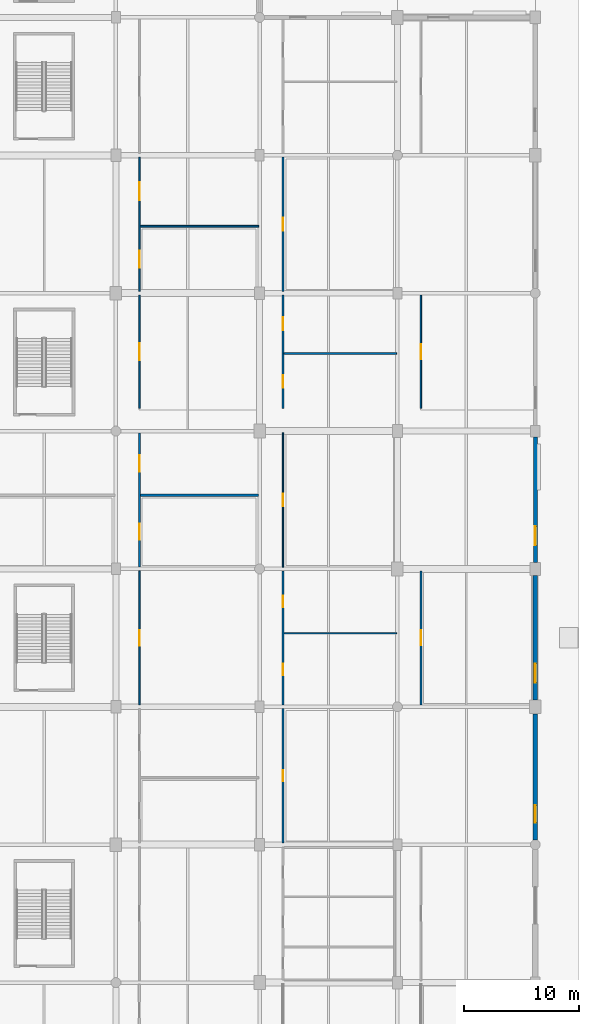
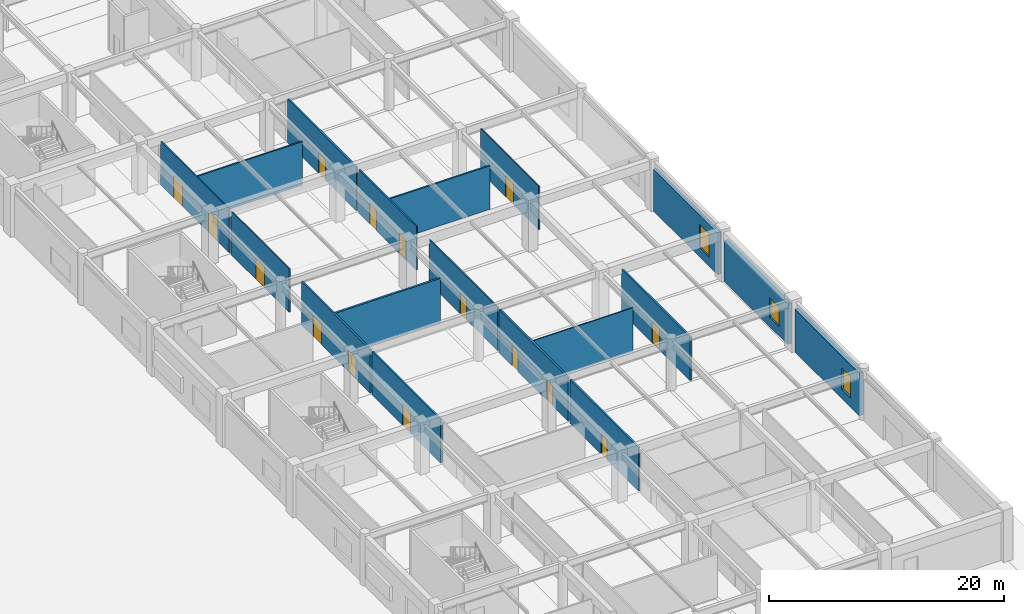
# One storey, part 26 of 69: 18 walls, 15 doors, 3 windows, 18 openings.
"""IFC4 building model written with IfcOpenShell, lengths in metres."""

import ifcopenshell
import ifcopenshell.guid

model = None  # the IFC model being written
_history = None  # IfcOwnerHistory: only IFC2X3 demands one
_inside = {}  # id of a spatial element -> (the spatial element, [elements in it])
_under = {}  # id of a project, library or spatial element -> (it, [spatial elements below it])
_declared = {}  # id of a project -> (the project, [libraries it declares])
_typed = {}  # id of a type object -> (the type object, [elements of that type])
_made_of = {}  # id of a material, layer set ... -> (it, [elements and type objects made of it])


def new_model(schema):
    """Start an empty IFC model of exactly this schema.

    Asked for "IFC4X3", IfcOpenShell would pick the latest addendum, in which some entities
    have other attributes; the version numbers below select the first issue.
    IFC2X3 requires an IfcOwnerHistory on every rooted entity: one is made here for all.
    """
    global model, _history
    if schema == "IFC4X3":
        model = ifcopenshell.file(schema_version=(4, 3, 0, 0))
    else:
        model = ifcopenshell.file(schema=schema)
    _inside.clear()
    _under.clear()
    _declared.clear()
    _typed.clear()
    _made_of.clear()
    _history = None
    if model.schema == "IFC2X3":
        org = make("IfcOrganization", Name="unknown")
        user = make(
            "IfcPersonAndOrganization",
            ThePerson=make("IfcPerson", FamilyName="unknown"),
            TheOrganization=org,
        )
        app = make(
            "IfcApplication",
            ApplicationDeveloper=org,
            Version="unknown",
            ApplicationFullName="unknown",
            ApplicationIdentifier="unknown",
        )
        _history = make(
            "IfcOwnerHistory",
            OwningUser=user,
            OwningApplication=app,
            ChangeAction="ADDED",
            CreationDate=0,
        )
    return model


def make(cls, **values):
    """One entity of the class cls with the attributes given. An attribute that is None is left unset."""
    return model.create_entity(
        cls, **{name: value for name, value in values.items() if value is not None}
    )


def rooted(cls, **values):
    """An entity with a GlobalId (a new one), such as an element, a storey or a relation."""
    return make(cls, GlobalId=ifcopenshell.guid.new(), OwnerHistory=_history, **values)


def si_unit(unit_type, name, prefix=None):
    """IfcSIUnit, for example si_unit("LENGTHUNIT", "METRE", prefix="MILLI")."""
    return make("IfcSIUnit", UnitType=unit_type, Prefix=prefix, Name=name)


def assignment(units):
    """IfcUnitAssignment: the units of a project."""
    return None if units is None else make("IfcUnitAssignment", Units=units)


def point(xyz):
    """IfcCartesianPoint."""
    return None if xyz is None else make("IfcCartesianPoint", Coordinates=xyz)


def direction(xyz):
    """IfcDirection."""
    return None if xyz is None else make("IfcDirection", DirectionRatios=xyz)


def frame(location, z_axis=None, x_axis=None):
    """IfcAxis2Placement3D, a coordinate frame: its origin and axes. An axis left out is left unset."""
    return make(
        "IfcAxis2Placement3D",
        Location=point(location),
        Axis=direction(z_axis),
        RefDirection=direction(x_axis),
    )


def frame_2d(location, x_axis=None):
    """IfcAxis2Placement2D, a coordinate frame in the plane: its origin and x axis."""
    return make(
        "IfcAxis2Placement2D", Location=point(location), RefDirection=direction(x_axis)
    )


def origin():
    """The frame at (0, 0, 0) with its axes left unset."""
    return frame((0.0, 0.0, 0.0))


def place(relative_to, where):
    """IfcLocalPlacement: puts the frame where relative to a parent placement (None: the world)."""
    return make(
        "IfcLocalPlacement", PlacementRelTo=relative_to, RelativePlacement=where
    )


def context(
    kind, dimensions, precision=None, world=None, true_north=None, identifier=None
):
    """IfcGeometricRepresentationContext, for example the 3D "Model" context."""
    return make(
        "IfcGeometricRepresentationContext",
        ContextIdentifier=identifier,
        ContextType=kind,
        CoordinateSpaceDimension=dimensions,
        Precision=precision,
        WorldCoordinateSystem=world,
        TrueNorth=true_north,
    )


def subcontext(parent, identifier, kind, view, scale=None):
    """IfcGeometricRepresentationSubContext, for example "Body" below "Model"."""
    return make(
        "IfcGeometricRepresentationSubContext",
        ContextIdentifier=identifier,
        ContextType=kind,
        ParentContext=parent,
        TargetScale=scale,
        TargetView=view,
    )


def project(units=None, contexts=None):
    """IfcProject with its units and contexts."""
    return rooted(
        "IfcProject",
        Name="project",
        RepresentationContexts=contexts,
        UnitsInContext=assignment(units),
    )


def spatial(cls, under=None, at=None, **own):
    """A site, building, storey or space (cls), placed at a placement, below another one or the project."""
    s = rooted(cls, ObjectPlacement=at, **own)
    if under is not None:
        _under.setdefault(under.id(), (under, []))[1].append(s)
    return s


def profile(cls, at=None, kind="AREA", **sizes):
    """A parametric profile (cls). Its sizes go by their IFC names, for example OverallWidth=200.0."""
    return make(cls, ProfileType=kind, Position=at, **sizes)


def rectangle(**sizes):
    """IfcRectangleProfileDef."""
    return profile("IfcRectangleProfileDef", **sizes)


def extrude(swept, where, along, depth):
    """IfcExtrudedAreaSolid: the profile swept, set in the frame where, extruded along a direction by depth."""
    return make(
        "IfcExtrudedAreaSolid",
        SweptArea=swept,
        Position=where,
        ExtrudedDirection=direction(along),
        Depth=depth,
    )


def shape(context_of_items, identifier, shape_type, items):
    """IfcShapeRepresentation: the items that make up one representation, for example the "Body"."""
    return make(
        "IfcShapeRepresentation",
        ContextOfItems=context_of_items,
        RepresentationIdentifier=identifier,
        RepresentationType=shape_type,
        Items=items,
    )


def material(Name=None, Category=None):
    """IfcMaterial."""
    return make("IfcMaterial", Name=Name, Category=Category)


def layer(
    of_material, thickness, ventilated=None, Name=None, Category=None, Priority=None
):
    """IfcMaterialLayer: one layer of a wall or slab, of a material (None: an air gap)."""
    return make(
        "IfcMaterialLayer",
        Material=of_material,
        LayerThickness=thickness,
        IsVentilated=ventilated,
        Name=Name,
        Category=Category,
        Priority=Priority,
    )


def layer_set(layers, Name=None):
    """IfcMaterialLayerSet."""
    return make("IfcMaterialLayerSet", MaterialLayers=layers, LayerSetName=Name)


def made_of(thing, what):
    """Note that an element or type object is made of a material, layer set ...; save() writes the relation."""
    if what is not None:
        _made_of.setdefault(what.id(), (what, []))[1].append(thing)
    return thing


def type_object(cls, material=None, **own):
    """A type object (cls), such as IfcWallType, which elements share."""
    return made_of(rooted(cls, **own), material)


def element(
    cls,
    number,
    at=None,
    inside=None,
    cuts=None,
    type_object=None,
    material=None,
    context=None,
    identifier="Body",
    shape_type=None,
    held_by="IfcProductDefinitionShape",
    body=None,
    shapes=None,
    **own,
):
    """One element of the class cls, such as IfcWall. Its Tag is "e" and its number.

    at: its placement. inside: the storey or other place that contains it. cuts: it is an
    opening in that element (IfcRelVoidsElement). A single representation is given by context,
    identifier, shape_type and body (its items); several are given by shapes. held_by: the class
    of the entity that holds the representations. save() writes the other relations.
    """
    e = rooted(cls, Tag="e%d" % number, ObjectPlacement=at, **own)
    if body is not None:
        shapes = [shape(context, identifier, shape_type, body)]
    if shapes is not None:
        e.Representation = make(held_by, Representations=shapes)
    if inside is not None:
        _inside.setdefault(inside.id(), (inside, []))[1].append(e)
    if cuts is not None:
        rooted(
            "IfcRelVoidsElement", RelatingBuildingElement=cuts, RelatedOpeningElement=e
        )
    if type_object is not None:
        _typed.setdefault(type_object.id(), (type_object, []))[1].append(e)
    return made_of(e, material)


def fill(opening, filler):
    """IfcRelFillsElement: the door or window that sits in an opening."""
    return rooted(
        "IfcRelFillsElement",
        RelatingOpeningElement=opening,
        RelatedBuildingElement=filler,
    )


def aggregate(whole, parts):
    """IfcRelAggregates: a whole, such as a stair, and the parts it consists of."""
    return rooted("IfcRelAggregates", RelatingObject=whole, RelatedObjects=parts)


def save(model, path):
    """Write the relations noted so far, then the file.

    IfcRelAggregates (storeys below a building ...), IfcRelContainedInSpatialStructure (elements
    in a storey), IfcRelDefinesByType, IfcRelAssociatesMaterial and IfcRelDeclares: one each for
    every whole, place, type object, material and project.
    """
    for whole, parts in _under.values():
        aggregate(whole, parts)
    for where, things in _inside.values():
        rooted(
            "IfcRelContainedInSpatialStructure",
            RelatedElements=things,
            RelatingStructure=where,
        )
    for kind, things in _typed.values():
        rooted("IfcRelDefinesByType", RelatedObjects=things, RelatingType=kind)
    for what, things in _made_of.values():
        rooted("IfcRelAssociatesMaterial", RelatedObjects=things, RelatingMaterial=what)
    for by, libraries in _declared.values():
        rooted("IfcRelDeclares", RelatingContext=by, RelatedDefinitions=libraries)
    model.write(path)


model = new_model("IFC4")

# Units and contexts
model_context = context("Model", 3, precision=1e-05, world=origin(), true_north=direction((0.0, 1.0)))
body_context = subcontext(model_context, "Body", "Model", "MODEL_VIEW")
ifc_project = project(units=[si_unit("LENGTHUNIT", "METRE"), si_unit("AREAUNIT", "SQUARE_METRE"), si_unit("VOLUMEUNIT", "CUBIC_METRE"), si_unit("PLANEANGLEUNIT", "RADIAN"), si_unit("MASSUNIT", "GRAM", prefix="KILO")], contexts=[model_context])

# Site, building, storey
site_placement = place(None, origin())
site = spatial("IfcSite", under=ifc_project, at=site_placement, CompositionType="ELEMENT")
building_placement = place(site_placement, origin())
building = spatial("IfcBuilding", under=site, at=building_placement, Name="Kazenohara Klinker Stadium", CompositionType="ELEMENT")
storey_placement = place(building_placement, origin())
storey = spatial("IfcBuildingStorey", under=building, at=storey_placement, Name="L00", CompositionType="ELEMENT", Elevation=0.0)

# Wall, opening, window
ifc_material_1 = material(Name="Clinker brick masonry", Category="masonry")
ifc_layer_1 = layer(ifc_material_1, 0.340087890625)
ifc_layer_set_1 = layer_set([ifc_layer_1], Name="Clinker brick masonry")
wall_type_1 = type_object("IfcWallType", Name="WAL-EXT-CB340", PredefinedType="SOLIDWALL", material=ifc_layer_set_1)
wall_1_placement = place(storey_placement, frame((224.0, 84.553955078125, 0.0), z_axis=(0.0, 0.0, 1.0), x_axis=(0.0, 1.0, 0.0)))
wall_1 = element("IfcWall", 1, at=wall_1_placement, inside=storey, type_object=wall_type_1, Name="Clinker brick cavity wall EW04 L00 Y18-7", PredefinedType="SOLIDWALL", context=body_context, shape_type="SweptSolid", body=[
    extrude(rectangle(XDim=10.942138671875, YDim=0.340087890625, at=frame_2d((5.47119140625, 0.0))), origin(), (0.0, 0.0, 1.0), 4.340087890625),
])
opening_1_placement = place(wall_1_placement, frame((1.5, 0.0, 0.949951171875)))
opening_1 = element("IfcOpeningElement", 2, at=opening_1_placement, cuts=wall_1, Name="Opening W12", PredefinedType="OPENING", context=body_context, shape_type="SweptSolid", body=[
    extrude(rectangle(XDim=1.64990234375, YDim=2.449951171875, at=frame_2d((0.824951171875, 1.22509765625))), frame((0.0, 0.18017578125, 0.0), z_axis=(0.0, -1.0, 0.0), x_axis=(1.0, 0.0, 0.0)), (0.0, 0.0, 1.0), 0.360107421875),
])
ifc_material_2 = material(Name="Dark bronze aluminium frame and triple glazing", Category="aluminium")
window_type_1 = type_object("IfcWindowType", Name="WIN-AS-12", PartitioningType="SINGLE_PANEL", PredefinedType="WINDOW", material=ifc_material_2)
window_1_placement = place(opening_1_placement, origin())
window_1 = element("IfcWindow", 3, at=window_1_placement, inside=storey, type_object=window_type_1, Name="Horizontal-mullion ladder window W12 L00 Y18-7", OverallHeight=2.449951171875, OverallWidth=1.64990234375, PartitioningType="SINGLE_PANEL", PredefinedType="WINDOW", context=body_context, shape_type="SweptSolid", body=[
    extrude(rectangle(XDim=1.64990234375, YDim=2.449951171875, at=frame_2d((0.824951171875, 1.22509765625))), frame((0.0, 0.030029296875, 0.0), z_axis=(0.0, -1.0, 0.0), x_axis=(1.0, 0.0, 0.0)), (0.0, 0.0, 1.0), 0.06005859375),
])
fill(opening_1, window_1)

ifc_layer_2 = layer(ifc_material_1, 0.3701171875)
ifc_layer_set_2 = layer_set([ifc_layer_2], Name="Clinker brick masonry")
wall_type_2 = type_object("IfcWallType", Name="WAL-EXT-CB370", PredefinedType="SOLIDWALL", material=ifc_layer_set_2)
wall_2_placement = place(storey_placement, frame((224.0, 72.60400390625, 0.0), z_axis=(0.0, 0.0, 1.0), x_axis=(0.0, 1.0, 0.0)))
wall_2 = element("IfcWall", 4, at=wall_2_placement, inside=storey, type_object=wall_type_2, Name="Clinker brick cavity wall EW03 L00 Y18-6", PredefinedType="SOLIDWALL", context=body_context, shape_type="SweptSolid", body=[
    extrude(rectangle(XDim=10.842041015625, YDim=0.3701171875, at=frame_2d((5.4208984375, 0.0))), origin(), (0.0, 0.0, 1.0), 4.239990234375),
])
opening_2_placement = place(wall_2_placement, frame((1.5, 0.0, 0.949951171875)))
opening_2 = element("IfcOpeningElement", 5, at=opening_2_placement, cuts=wall_2, Name="Opening W11", PredefinedType="OPENING", context=body_context, shape_type="SweptSolid", body=[
    extrude(rectangle(XDim=1.64990234375, YDim=2.050048828125, at=frame_2d((0.824951171875, 1.02490234375))), frame((0.0, 0.195068359375, 0.0), z_axis=(0.0, -1.0, 0.0), x_axis=(1.0, 0.0, 0.0)), (0.0, 0.0, 1.0), 0.39013671875),
])
window_type_2 = type_object("IfcWindowType", Name="WIN-AS-11", PartitioningType="SINGLE_PANEL", PredefinedType="WINDOW", material=ifc_material_2)
window_2_placement = place(opening_2_placement, origin())
window_2 = element("IfcWindow", 6, at=window_2_placement, inside=storey, type_object=window_type_2, Name="Horizontal-mullion ladder window W11 L00 Y18-6", OverallHeight=2.050048828125, OverallWidth=1.64990234375, PartitioningType="SINGLE_PANEL", PredefinedType="WINDOW", context=body_context, shape_type="SweptSolid", body=[
    extrude(rectangle(XDim=1.64990234375, YDim=2.050048828125, at=frame_2d((0.824951171875, 1.02490234375))), frame((0.0, 0.030029296875, 0.0), z_axis=(0.0, -1.0, 0.0), x_axis=(1.0, 0.0, 0.0)), (0.0, 0.0, 1.0), 0.06005859375),
])
fill(opening_2, window_2)

ifc_layer_3 = layer(ifc_material_1, 0.409912109375)
ifc_layer_set_3 = layer_set([ifc_layer_3], Name="Clinker brick masonry")
wall_type_3 = type_object("IfcWallType", Name="WAL-EXT-CB410", PredefinedType="SOLIDWALL", material=ifc_layer_set_3)
wall_3_placement = place(storey_placement, frame((224.0, 60.428955078125, 0.0), z_axis=(0.0, 0.0, 1.0), x_axis=(0.0, 1.0, 0.0)))
wall_3 = element("IfcWall", 7, at=wall_3_placement, inside=storey, type_object=wall_type_3, Name="Clinker brick cavity wall EW02 L00 Y18-5", PredefinedType="SOLIDWALL", context=body_context, shape_type="SweptSolid", body=[
    extrude(rectangle(XDim=10.967041015625, YDim=0.409912109375, at=frame_2d((5.4833984375, 0.0))), origin(), (0.0, 0.0, 1.0), 4.43994140625),
])
opening_3_placement = place(wall_3_placement, frame((1.5, 0.0, 0.949951171875)))
opening_3 = element("IfcOpeningElement", 8, at=opening_3_placement, cuts=wall_3, Name="Opening W10", PredefinedType="OPENING", context=body_context, shape_type="SweptSolid", body=[
    extrude(rectangle(XDim=1.5, YDim=2.25, at=frame_2d((0.75, 1.125))), frame((0.0, 0.21484375, 0.0), z_axis=(0.0, -1.0, 0.0), x_axis=(1.0, 0.0, 0.0)), (0.0, 0.0, 1.0), 0.429931640625),
])
window_type_3 = type_object("IfcWindowType", Name="WIN-AS-10", PartitioningType="SINGLE_PANEL", PredefinedType="WINDOW", material=ifc_material_2)
window_3_placement = place(opening_3_placement, origin())
window_3 = element("IfcWindow", 9, at=window_3_placement, inside=storey, type_object=window_type_3, Name="Horizontal-mullion ladder window W10 L00 Y18-5", OverallHeight=2.25, OverallWidth=1.5, PartitioningType="SINGLE_PANEL", PredefinedType="WINDOW", context=body_context, shape_type="SweptSolid", body=[
    extrude(rectangle(XDim=1.5, YDim=2.25, at=frame_2d((0.75, 1.125))), frame((0.0, 0.030029296875, 0.0), z_axis=(0.0, -1.0, 0.0), x_axis=(1.0, 0.0, 0.0)), (0.0, 0.0, 1.0), 0.06005859375),
])
fill(opening_3, window_3)

# Wall, opening, door
ifc_material_3 = material(Name="Fire-rated gypsum board on acoustic studs", Category="gypsum")
ifc_layer_4 = layer(ifc_material_3, 0.110107421875)
ifc_layer_set_4 = layer_set([ifc_layer_4], Name="Fire-rated gypsum board on acoustic studs")
wall_type_4 = type_object("IfcWallType", Name="WAL-INT-P110", PredefinedType="PARTITIONING", material=ifc_layer_set_4)
wall_4_placement = place(storey_placement, frame((189.5400390625, 97.969970703125, 0.0), z_axis=(0.0, 0.0, 1.0), x_axis=(0.0, 1.0, 0.0)))
wall_4 = element("IfcWall", 10, at=wall_4_placement, inside=storey, type_object=wall_type_4, Name="Interior partition wall PT01 SPC-L00-15-08-1-1", PredefinedType="PARTITIONING", context=body_context, shape_type="SweptSolid", body=[
    extrude(rectangle(XDim=9.8701171875, YDim=0.110107421875, at=frame_2d((4.93505859375, 0.0))), origin(), (0.0, 0.0, 1.0), 4.52001953125),
])
opening_4_placement = place(wall_4_placement, frame((5.675048828125, 0.0, 0.0), z_axis=(0.0, 0.0, 1.0), x_axis=(-1.0, 0.0, 0.0)))
opening_4 = element("IfcOpeningElement", 11, at=opening_4_placement, cuts=wall_4, Name="Opening ID20", PredefinedType="OPENING", context=body_context, shape_type="SweptSolid", body=[
    extrude(rectangle(XDim=1.47998046875, YDim=2.239990234375, at=frame_2d((0.739990234375, 1.1201171875))), frame((0.0, 0.06494140625, 0.0), z_axis=(0.0, -1.0, 0.0), x_axis=(1.0, 0.0, 0.0)), (0.0, 0.0, 1.0), 0.130126953125),
])
ifc_material_4 = material(Name="Painted steel plant fire door", Category="steel")
door_type_1 = type_object("IfcDoorType", Name="DR-INT-20", OperationType="NOTDEFINED", PredefinedType="DOOR", material=ifc_material_4)
door_1_placement = place(opening_4_placement, origin())
door_1 = element("IfcDoor", 12, at=door_1_placement, inside=storey, type_object=door_type_1, Name="Interior door ID20 Spectator First-Aid Medical Clinic L00-1508A", OperationType="SINGLE_SWING_LEFT", OverallHeight=2.239990234375, OverallWidth=1.47998046875, PredefinedType="DOOR", context=body_context, shape_type="SweptSolid", body=[
    extrude(rectangle(XDim=1.47998046875, YDim=2.239990234375, at=frame_2d((0.739990234375, 1.1201171875))), frame((0.0, 0.02490234375, 0.0), z_axis=(0.0, -1.0, 0.0), x_axis=(1.0, 0.0, 0.0)), (0.0, 0.0, 1.0), 0.050048828125),
])
fill(opening_4, door_1)

# Wall
wall_5_placement = place(storey_placement, frame((202.139892578125, 78.40869140625, 0.0), z_axis=(0.0, 0.0, 1.0), x_axis=(1.0, 0.0, 0.0)))
element("IfcWall", 13, at=wall_5_placement, inside=storey, type_object=wall_type_4, Name="Interior partition wall PT01 SPC-L00-16-06-1-2", PredefinedType="PARTITIONING", context=body_context, shape_type="SweptSolid", body=[
    extrude(rectangle(XDim=9.780029296875, YDim=0.110107421875, at=frame_2d((4.89013671875, 0.0))), origin(), (0.0, 0.0, 1.0), 4.52001953125),
])

# Wall, opening, door
wall_6_placement = place(storey_placement, frame((214.0400390625, 97.969970703125, 0.0), z_axis=(0.0, 0.0, 1.0), x_axis=(0.0, 1.0, 0.0)))
wall_6 = element("IfcWall", 14, at=wall_6_placement, inside=storey, type_object=wall_type_4, Name="Interior partition wall PT01 SPC-L00-17-08-1-1", PredefinedType="PARTITIONING", context=body_context, shape_type="SweptSolid", body=[
    extrude(rectangle(XDim=9.8701171875, YDim=0.110107421875, at=frame_2d((4.93505859375, 0.0))), origin(), (0.0, 0.0, 1.0), 4.52001953125),
])
opening_5_placement = place(wall_6_placement, frame((5.60009765625, 0.0, 0.0), z_axis=(0.0, 0.0, 1.0), x_axis=(-1.0, 0.0, 0.0)))
opening_5 = element("IfcOpeningElement", 15, at=opening_5_placement, cuts=wall_6, Name="Opening ID16", PredefinedType="OPENING", context=body_context, shape_type="SweptSolid", body=[
    extrude(rectangle(XDim=1.330078125, YDim=2.219970703125, at=frame_2d((0.6650390625, 1.10986328125))), frame((0.0, 0.06494140625, 0.0), z_axis=(0.0, -1.0, 0.0), x_axis=(1.0, 0.0, 0.0)), (0.0, 0.0, 1.0), 0.130126953125),
])
ifc_material_5 = material(Name="Solid-core Hokkaido oak fire door", Category="wood")
door_type_2 = type_object("IfcDoorType", Name="DR-INT-16", OperationType="NOTDEFINED", PredefinedType="DOOR", material=ifc_material_5)
door_2_placement = place(opening_5_placement, origin())
door_2 = element("IfcDoor", 16, at=door_2_placement, inside=storey, type_object=door_type_2, Name="Interior door ID16 Supporter Merchandising Retail Shop L00-1708A", OperationType="SINGLE_SWING_LEFT", OverallHeight=2.219970703125, OverallWidth=1.330078125, PredefinedType="DOOR", context=body_context, shape_type="SweptSolid", body=[
    extrude(rectangle(XDim=1.330078125, YDim=2.219970703125, at=frame_2d((0.6650390625, 1.10986328125))), frame((0.0, 0.02490234375, 0.0), z_axis=(0.0, -1.0, 0.0), x_axis=(1.0, 0.0, 0.0)), (0.0, 0.0, 1.0), 0.050048828125),
])
fill(opening_5, door_2)

# Wall, openings, doors
ifc_layer_5 = layer(ifc_material_3, 0.1201171875)
ifc_layer_set_5 = layer_set([ifc_layer_5], Name="Fire-rated gypsum board on acoustic studs")
wall_type_5 = type_object("IfcWallType", Name="WAL-INT-P120", PredefinedType="PARTITIONING", material=ifc_layer_set_5)
wall_7_placement = place(storey_placement, frame((189.5400390625, 108.159912109375, 0.0), z_axis=(0.0, 0.0, 1.0), x_axis=(0.0, 1.0, 0.0)))
wall_7 = element("IfcWall", 17, at=wall_7_placement, inside=storey, type_object=wall_type_5, Name="Interior partition wall PT02 SPC-L00-15-09-1-1", PredefinedType="PARTITIONING", context=body_context, shape_type="SweptSolid", body=[
    extrude(rectangle(XDim=11.68017578125, YDim=0.1201171875, at=frame_2d((5.840087890625, 0.0))), origin(), (0.0, 0.0, 1.0), 4.52001953125),
])
opening_6_placement = place(wall_7_placement, frame((3.552490234375, 0.0, 0.0), z_axis=(0.0, 0.0, 1.0), x_axis=(-1.0, 0.0, 0.0)))
opening_6 = element("IfcOpeningElement", 18, at=opening_6_placement, cuts=wall_7, Name="Opening ID21", PredefinedType="OPENING", context=body_context, shape_type="SweptSolid", body=[
    extrude(rectangle(XDim=1.52001953125, YDim=2.280029296875, at=frame_2d((0.760009765625, 1.14013671875))), frame((0.0, 0.070068359375, 0.0), z_axis=(0.0, -1.0, 0.0), x_axis=(1.0, 0.0, 0.0)), (0.0, 0.0, 1.0), 0.14013671875),
])
opening_7_placement = place(wall_7_placement, frame((9.492431640625, 0.0, 0.0), z_axis=(0.0, 0.0, 1.0), x_axis=(-1.0, 0.0, 0.0)))
opening_7 = element("IfcOpeningElement", 19, at=opening_7_placement, cuts=wall_7, Name="Opening ID22", PredefinedType="OPENING", context=body_context, shape_type="SweptSolid", body=[
    extrude(rectangle(XDim=1.56005859375, YDim=2.260009765625, at=frame_2d((0.780029296875, 1.1298828125))), frame((0.0, 0.070068359375, 0.0), z_axis=(0.0, -1.0, 0.0), x_axis=(1.0, 0.0, 0.0)), (0.0, 0.0, 1.0), 0.14013671875),
])
door_type_3 = type_object("IfcDoorType", Name="DR-INT-21", OperationType="NOTDEFINED", PredefinedType="DOOR", material=ifc_material_4)
door_3_placement = place(opening_6_placement, origin())
door_3 = element("IfcDoor", 20, at=door_3_placement, inside=storey, type_object=door_type_3, Name="Interior door ID21 Civic Stadium Heritage Museum Exhibition Gallery L00-1509A", OperationType="SINGLE_SWING_RIGHT", OverallHeight=2.280029296875, OverallWidth=1.52001953125, PredefinedType="DOOR", context=body_context, shape_type="SweptSolid", body=[
    extrude(rectangle(XDim=1.52001953125, YDim=2.280029296875, at=frame_2d((0.760009765625, 1.14013671875))), frame((0.0, 0.02490234375, 0.0), z_axis=(0.0, -1.0, 0.0), x_axis=(1.0, 0.0, 0.0)), (0.0, 0.0, 1.0), 0.050048828125),
])
fill(opening_6, door_3)
door_type_4 = type_object("IfcDoorType", Name="DR-INT-22", OperationType="NOTDEFINED", PredefinedType="DOOR", material=ifc_material_4)
door_4_placement = place(opening_7_placement, origin())
door_4 = element("IfcDoor", 21, at=door_4_placement, inside=storey, type_object=door_type_4, Name="Interior door ID22 Street-Front Bakery and Cafe Restaurant L00-1509B", OperationType="SINGLE_SWING_LEFT", OverallHeight=2.260009765625, OverallWidth=1.56005859375, PredefinedType="DOOR", context=body_context, shape_type="SweptSolid", body=[
    extrude(rectangle(XDim=1.56005859375, YDim=2.260009765625, at=frame_2d((0.780029296875, 1.1298828125))), frame((0.0, 0.02490234375, 0.0), z_axis=(0.0, -1.0, 0.0), x_axis=(1.0, 0.0, 0.0)), (0.0, 0.0, 1.0), 0.050048828125),
])
fill(opening_7, door_4)

# Wall, opening, door
wall_8_placement = place(storey_placement, frame((202.0400390625, 84.159912109375, 0.0), z_axis=(0.0, 0.0, 1.0), x_axis=(0.0, 1.0, 0.0)))
wall_8 = element("IfcWall", 22, at=wall_8_placement, inside=storey, type_object=wall_type_5, Name="Interior partition wall PT02 SPC-L00-16-07-1-1", PredefinedType="PARTITIONING", context=body_context, shape_type="SweptSolid", body=[
    extrude(rectangle(XDim=11.68017578125, YDim=0.1201171875, at=frame_2d((5.840087890625, 0.0))), origin(), (0.0, 0.0, 1.0), 4.52001953125),
])
opening_8_placement = place(wall_8_placement, frame((6.3701171875, 0.0, 0.0), z_axis=(0.0, 0.0, 1.0), x_axis=(-1.0, 0.0, 0.0)))
opening_8 = element("IfcOpeningElement", 23, at=opening_8_placement, cuts=wall_8, Name="Opening ID07", PredefinedType="OPENING", context=body_context, shape_type="SweptSolid", body=[
    extrude(rectangle(XDim=1.06005859375, YDim=2.14990234375, at=frame_2d((0.530029296875, 1.074951171875))), frame((0.0, 0.070068359375, 0.0), z_axis=(0.0, -1.0, 0.0), x_axis=(1.0, 0.0, 0.0)), (0.0, 0.0, 1.0), 0.14013671875),
])
door_type_5 = type_object("IfcDoorType", Name="DR-INT-07", OperationType="NOTDEFINED", PredefinedType="DOOR", material=ifc_material_5)
door_5_placement = place(opening_8_placement, origin())
door_5 = element("IfcDoor", 24, at=door_5_placement, inside=storey, type_object=door_type_5, Name="Interior door ID07 Supporter Merchandising Retail Shop L00-1607A", OperationType="SINGLE_SWING_RIGHT", OverallHeight=2.14990234375, OverallWidth=1.06005859375, PredefinedType="DOOR", context=body_context, shape_type="SweptSolid", body=[
    extrude(rectangle(XDim=1.06005859375, YDim=2.14990234375, at=frame_2d((0.530029296875, 1.074951171875))), frame((0.0, 0.02490234375, 0.0), z_axis=(0.0, -1.0, 0.0), x_axis=(1.0, 0.0, 0.0)), (0.0, 0.0, 1.0), 0.050048828125),
])
fill(opening_8, door_5)

# Wall
ifc_layer_6 = layer(ifc_material_3, 0.139892578125)
ifc_layer_set_6 = layer_set([ifc_layer_6], Name="Fire-rated gypsum board on acoustic studs")
wall_type_6 = type_object("IfcWallType", Name="WAL-INT-P140", PredefinedType="PARTITIONING", material=ifc_layer_set_6)
wall_9_placement = place(storey_placement, frame((189.60498046875, 113.82470703125, 0.0), z_axis=(0.0, 0.0, 1.0), x_axis=(1.0, 0.0, 0.0)))
element("IfcWall", 25, at=wall_9_placement, inside=storey, type_object=wall_type_6, Name="Interior partition wall PT03 SPC-L00-15-09-1-2", PredefinedType="PARTITIONING", context=body_context, shape_type="SweptSolid", body=[
    extrude(rectangle(XDim=10.31494140625, YDim=0.139892578125, at=frame_2d((5.157470703125, 0.0))), origin(), (0.0, 0.0, 1.0), 4.52001953125),
])

# Wall, openings, doors
wall_10_placement = place(storey_placement, frame((202.0400390625, 97.969970703125, 0.0), z_axis=(0.0, 0.0, 1.0), x_axis=(0.0, 1.0, 0.0)))
wall_10 = element("IfcWall", 26, at=wall_10_placement, inside=storey, type_object=wall_type_6, Name="Interior partition wall PT03 SPC-L00-16-08-1-1", PredefinedType="PARTITIONING", context=body_context, shape_type="SweptSolid", body=[
    extrude(rectangle(XDim=9.8701171875, YDim=0.139892578125, at=frame_2d((4.93505859375, 0.0))), origin(), (0.0, 0.0, 1.0), 4.52001953125),
])
opening_9_placement = place(wall_10_placement, frame((2.898681640625, 0.0, 0.0), z_axis=(0.0, 0.0, 1.0), x_axis=(-1.0, 0.0, 0.0)))
opening_9 = element("IfcOpeningElement", 27, at=opening_9_placement, cuts=wall_10, Name="Opening ID08", PredefinedType="OPENING", context=body_context, shape_type="SweptSolid", body=[
    extrude(rectangle(XDim=1.090087890625, YDim=2.159912109375, at=frame_2d((0.544921875, 1.080078125))), frame((0.0, 0.080078125, 0.0), z_axis=(0.0, -1.0, 0.0), x_axis=(1.0, 0.0, 0.0)), (0.0, 0.0, 1.0), 0.159912109375),
])
opening_10_placement = place(wall_10_placement, frame((7.9287109375, 0.0, 0.0), z_axis=(0.0, 0.0, 1.0), x_axis=(-1.0, 0.0, 0.0)))
opening_10 = element("IfcOpeningElement", 28, at=opening_10_placement, cuts=wall_10, Name="Opening ID09", PredefinedType="OPENING", context=body_context, shape_type="SweptSolid", body=[
    extrude(rectangle(XDim=1.1201171875, YDim=2.179931640625, at=frame_2d((0.56005859375, 1.08984375))), frame((0.0, 0.080078125, 0.0), z_axis=(0.0, -1.0, 0.0), x_axis=(1.0, 0.0, 0.0)), (0.0, 0.0, 1.0), 0.159912109375),
])
door_type_6 = type_object("IfcDoorType", Name="DR-INT-08", OperationType="NOTDEFINED", PredefinedType="DOOR", material=ifc_material_5)
door_6_placement = place(opening_9_placement, origin())
door_6 = element("IfcDoor", 29, at=door_6_placement, inside=storey, type_object=door_type_6, Name="Interior door ID08 Spectator First-Aid Medical Clinic L00-1608A", OperationType="SINGLE_SWING_LEFT", OverallHeight=2.159912109375, OverallWidth=1.090087890625, PredefinedType="DOOR", context=body_context, shape_type="SweptSolid", body=[
    extrude(rectangle(XDim=1.090087890625, YDim=2.159912109375, at=frame_2d((0.544921875, 1.080078125))), frame((0.0, 0.02490234375, 0.0), z_axis=(0.0, -1.0, 0.0), x_axis=(1.0, 0.0, 0.0)), (0.0, 0.0, 1.0), 0.050048828125),
])
fill(opening_9, door_6)
door_type_7 = type_object("IfcDoorType", Name="DR-INT-09", OperationType="NOTDEFINED", PredefinedType="DOOR", material=ifc_material_5)
door_7_placement = place(opening_10_placement, origin())
door_7 = element("IfcDoor", 30, at=door_7_placement, inside=storey, type_object=door_type_7, Name="Interior door ID09 Winter-Garden Retail Galleria Boutique L00-1608B", OperationType="SINGLE_SWING_RIGHT", OverallHeight=2.179931640625, OverallWidth=1.1201171875, PredefinedType="DOOR", context=body_context, shape_type="SweptSolid", body=[
    extrude(rectangle(XDim=1.1201171875, YDim=2.179931640625, at=frame_2d((0.56005859375, 1.08984375))), frame((0.0, 0.02490234375, 0.0), z_axis=(0.0, -1.0, 0.0), x_axis=(1.0, 0.0, 0.0)), (0.0, 0.0, 1.0), 0.050048828125),
])
fill(opening_10, door_7)

# Wall, opening, door
ifc_layer_7 = layer(ifc_material_3, 0.14990234375)
ifc_layer_set_7 = layer_set([ifc_layer_7], Name="Fire-rated gypsum board on acoustic studs")
wall_type_7 = type_object("IfcWallType", Name="WAL-INT-P150", PredefinedType="PARTITIONING", material=ifc_layer_set_7)
wall_11_placement = place(storey_placement, frame((189.5400390625, 72.159912109375, 0.0), z_axis=(0.0, 0.0, 1.0), x_axis=(0.0, 1.0, 0.0)))
wall_11 = element("IfcWall", 31, at=wall_11_placement, inside=storey, type_object=wall_type_7, Name="Interior partition wall PT04 SPC-L00-15-06-1-1", PredefinedType="PARTITIONING", context=body_context, shape_type="SweptSolid", body=[
    extrude(rectangle(XDim=11.68017578125, YDim=0.14990234375, at=frame_2d((5.840087890625, 0.0))), origin(), (0.0, 0.0, 1.0), 4.52001953125),
])
opening_11_placement = place(wall_11_placement, frame((6.52001953125, 0.0, 0.0), z_axis=(0.0, 0.0, 1.0), x_axis=(-1.0, 0.0, 0.0)))
opening_11 = element("IfcOpeningElement", 32, at=opening_11_placement, cuts=wall_11, Name="Opening ID17", PredefinedType="OPENING", context=body_context, shape_type="SweptSolid", body=[
    extrude(rectangle(XDim=1.360107421875, YDim=2.25, at=frame_2d((0.68017578125, 1.125))), frame((0.0, 0.0849609375, 0.0), z_axis=(0.0, -1.0, 0.0), x_axis=(1.0, 0.0, 0.0)), (0.0, 0.0, 1.0), 0.169921875),
])
door_type_8 = type_object("IfcDoorType", Name="DR-INT-17", OperationType="NOTDEFINED", PredefinedType="DOOR", material=ifc_material_5)
door_8_placement = place(opening_11_placement, origin())
door_8 = element("IfcDoor", 33, at=door_8_placement, inside=storey, type_object=door_type_8, Name="Interior door ID17 Civic Stadium Heritage Museum Exhibition Gallery L00-1506A", OperationType="SINGLE_SWING_RIGHT", OverallHeight=2.25, OverallWidth=1.360107421875, PredefinedType="DOOR", context=body_context, shape_type="SweptSolid", body=[
    extrude(rectangle(XDim=1.360107421875, YDim=2.25, at=frame_2d((0.68017578125, 1.125))), frame((0.0, 0.02490234375, 0.0), z_axis=(0.0, -1.0, 0.0), x_axis=(1.0, 0.0, 0.0)), (0.0, 0.0, 1.0), 0.050048828125),
])
fill(opening_11, door_8)

# Wall
wall_12_placement = place(storey_placement, frame((202.114990234375, 102.757080078125, 0.0), z_axis=(0.0, 0.0, 1.0), x_axis=(1.0, 0.0, 0.0)))
element("IfcWall", 34, at=wall_12_placement, inside=storey, type_object=wall_type_7, Name="Interior partition wall PT04 SPC-L00-16-08-1-2", PredefinedType="PARTITIONING", context=body_context, shape_type="SweptSolid", body=[
    extrude(rectangle(XDim=9.804931640625, YDim=0.14990234375, at=frame_2d((4.90234375, 0.0))), origin(), (0.0, 0.0, 1.0), 4.52001953125),
])

# Wall, openings, doors
ifc_layer_8 = layer(ifc_material_3, 0.169921875)
ifc_layer_set_8 = layer_set([ifc_layer_8], Name="Fire-rated gypsum board on acoustic studs")
wall_type_8 = type_object("IfcWallType", Name="WAL-INT-P170", PredefinedType="PARTITIONING", material=ifc_layer_set_8)
wall_13_placement = place(storey_placement, frame((189.5400390625, 84.159912109375, 0.0), z_axis=(0.0, 0.0, 1.0), x_axis=(0.0, 1.0, 0.0)))
wall_13 = element("IfcWall", 35, at=wall_13_placement, inside=storey, type_object=wall_type_8, Name="Interior partition wall PT05 SPC-L00-15-07-1-1", PredefinedType="PARTITIONING", context=body_context, shape_type="SweptSolid", body=[
    extrude(rectangle(XDim=11.68017578125, YDim=0.169921875, at=frame_2d((5.840087890625, 0.0))), origin(), (0.0, 0.0, 1.0), 4.52001953125),
])
opening_12_placement = place(wall_13_placement, frame((3.784423828125, 0.0, 0.0), z_axis=(0.0, 0.0, 1.0), x_axis=(-1.0, 0.0, 0.0)))
opening_12 = element("IfcOpeningElement", 36, at=opening_12_placement, cuts=wall_13, Name="Opening ID18", PredefinedType="OPENING", context=body_context, shape_type="SweptSolid", body=[
    extrude(rectangle(XDim=1.39990234375, YDim=2.239990234375, at=frame_2d((0.699951171875, 1.1201171875))), frame((0.0, 0.094970703125, 0.0), z_axis=(0.0, -1.0, 0.0), x_axis=(1.0, 0.0, 0.0)), (0.0, 0.0, 1.0), 0.18994140625),
])
opening_13_placement = place(wall_13_placement, frame((9.724365234375, 0.0, 0.0), z_axis=(0.0, 0.0, 1.0), x_axis=(-1.0, 0.0, 0.0)))
opening_13 = element("IfcOpeningElement", 37, at=opening_13_placement, cuts=wall_13, Name="Opening ID19", PredefinedType="OPENING", context=body_context, shape_type="SweptSolid", body=[
    extrude(rectangle(XDim=1.43994140625, YDim=2.260009765625, at=frame_2d((0.719970703125, 1.1298828125))), frame((0.0, 0.094970703125, 0.0), z_axis=(0.0, -1.0, 0.0), x_axis=(1.0, 0.0, 0.0)), (0.0, 0.0, 1.0), 0.18994140625),
])
door_type_9 = type_object("IfcDoorType", Name="DR-INT-18", OperationType="NOTDEFINED", PredefinedType="DOOR", material=ifc_material_5)
door_9_placement = place(opening_12_placement, origin())
door_9 = element("IfcDoor", 38, at=door_9_placement, inside=storey, type_object=door_type_9, Name="Interior door ID18 Supporter Merchandising Retail Shop L00-1507A", OperationType="SINGLE_SWING_LEFT", OverallHeight=2.239990234375, OverallWidth=1.39990234375, PredefinedType="DOOR", context=body_context, shape_type="SweptSolid", body=[
    extrude(rectangle(XDim=1.39990234375, YDim=2.239990234375, at=frame_2d((0.699951171875, 1.1201171875))), frame((0.0, 0.02490234375, 0.0), z_axis=(0.0, -1.0, 0.0), x_axis=(1.0, 0.0, 0.0)), (0.0, 0.0, 1.0), 0.050048828125),
])
fill(opening_12, door_9)
door_type_10 = type_object("IfcDoorType", Name="DR-INT-19", OperationType="NOTDEFINED", PredefinedType="DOOR", material=ifc_material_4)
door_10_placement = place(opening_13_placement, origin())
door_10 = element("IfcDoor", 39, at=door_10_placement, inside=storey, type_object=door_type_10, Name="Interior door ID19 Concourse Craft Beverage Tavern L00-1507B", OperationType="SINGLE_SWING_RIGHT", OverallHeight=2.260009765625, OverallWidth=1.43994140625, PredefinedType="DOOR", context=body_context, shape_type="SweptSolid", body=[
    extrude(rectangle(XDim=1.43994140625, YDim=2.260009765625, at=frame_2d((0.719970703125, 1.1298828125))), frame((0.0, 0.02490234375, 0.0), z_axis=(0.0, -1.0, 0.0), x_axis=(1.0, 0.0, 0.0)), (0.0, 0.0, 1.0), 0.050048828125),
])
fill(opening_13, door_10)

# Wall, opening, door
wall_14_placement = place(storey_placement, frame((202.0400390625, 60.159912109375, 0.0), z_axis=(0.0, 0.0, 1.0), x_axis=(0.0, 1.0, 0.0)))
wall_14 = element("IfcWall", 40, at=wall_14_placement, inside=storey, type_object=wall_type_8, Name="Interior partition wall PT05 SPC-L00-16-05-1-1", PredefinedType="PARTITIONING", context=body_context, shape_type="SweptSolid", body=[
    extrude(rectangle(XDim=11.68017578125, YDim=0.169921875, at=frame_2d((5.840087890625, 0.0))), origin(), (0.0, 0.0, 1.0), 4.52001953125),
])
opening_14_placement = place(wall_14_placement, frame((6.330078125, 0.0, 0.0), z_axis=(0.0, 0.0, 1.0), x_axis=(-1.0, 0.0, 0.0)))
opening_14 = element("IfcOpeningElement", 41, at=opening_14_placement, cuts=wall_14, Name="Opening ID04", PredefinedType="OPENING", context=body_context, shape_type="SweptSolid", body=[
    extrude(rectangle(XDim=0.97998046875, YDim=2.10009765625, at=frame_2d((0.489990234375, 1.050048828125))), frame((0.0, 0.094970703125, 0.0), z_axis=(0.0, -1.0, 0.0), x_axis=(1.0, 0.0, 0.0)), (0.0, 0.0, 1.0), 0.18994140625),
])
door_type_11 = type_object("IfcDoorType", Name="DR-INT-04", OperationType="NOTDEFINED", PredefinedType="DOOR", material=ifc_material_5)
door_11_placement = place(opening_14_placement, origin())
door_11 = element("IfcDoor", 42, at=door_11_placement, inside=storey, type_object=door_type_11, Name="Interior door ID04 Spectator First-Aid Medical Clinic L00-1605A", OperationType="SINGLE_SWING_LEFT", OverallHeight=2.10009765625, OverallWidth=0.97998046875, PredefinedType="DOOR", context=body_context, shape_type="SweptSolid", body=[
    extrude(rectangle(XDim=0.97998046875, YDim=2.10009765625, at=frame_2d((0.489990234375, 1.050048828125))), frame((0.0, 0.02490234375, 0.0), z_axis=(0.0, -1.0, 0.0), x_axis=(1.0, 0.0, 0.0)), (0.0, 0.0, 1.0), 0.050048828125),
])
fill(opening_14, door_11)

wall_15_placement = place(storey_placement, frame((202.0400390625, 108.159912109375, 0.0), z_axis=(0.0, 0.0, 1.0), x_axis=(0.0, 1.0, 0.0)))
wall_15 = element("IfcWall", 43, at=wall_15_placement, inside=storey, type_object=wall_type_8, Name="Interior partition wall PT05 SPC-L00-16-09-1-1", PredefinedType="PARTITIONING", context=body_context, shape_type="SweptSolid", body=[
    extrude(rectangle(XDim=11.68017578125, YDim=0.169921875, at=frame_2d((5.840087890625, 0.0))), origin(), (0.0, 0.0, 1.0), 4.52001953125),
])
opening_15_placement = place(wall_15_placement, frame((6.414794921875, 0.0, 0.0), z_axis=(0.0, 0.0, 1.0), x_axis=(-1.0, 0.0, 0.0)))
opening_15 = element("IfcOpeningElement", 44, at=opening_15_placement, cuts=wall_15, Name="Opening ID10", PredefinedType="OPENING", context=body_context, shape_type="SweptSolid", body=[
    extrude(rectangle(XDim=1.14990234375, YDim=2.14990234375, at=frame_2d((0.574951171875, 1.074951171875))), frame((0.0, 0.094970703125, 0.0), z_axis=(0.0, -1.0, 0.0), x_axis=(1.0, 0.0, 0.0)), (0.0, 0.0, 1.0), 0.18994140625),
])
door_type_12 = type_object("IfcDoorType", Name="DR-INT-10", OperationType="NOTDEFINED", PredefinedType="DOOR", material=ifc_material_5)
door_12_placement = place(opening_15_placement, origin())
door_12 = element("IfcDoor", 45, at=door_12_placement, inside=storey, type_object=door_type_12, Name="Interior door ID10 Civic Stadium Heritage Museum Exhibition Gallery L00-1609A", OperationType="SINGLE_SWING_LEFT", OverallHeight=2.14990234375, OverallWidth=1.14990234375, PredefinedType="DOOR", context=body_context, shape_type="SweptSolid", body=[
    extrude(rectangle(XDim=1.14990234375, YDim=2.14990234375, at=frame_2d((0.574951171875, 1.074951171875))), frame((0.0, 0.02490234375, 0.0), z_axis=(0.0, -1.0, 0.0), x_axis=(1.0, 0.0, 0.0)), (0.0, 0.0, 1.0), 0.050048828125),
])
fill(opening_15, door_12)

wall_16_placement = place(storey_placement, frame((214.0400390625, 72.159912109375, 0.0), z_axis=(0.0, 0.0, 1.0), x_axis=(0.0, 1.0, 0.0)))
wall_16 = element("IfcWall", 46, at=wall_16_placement, inside=storey, type_object=wall_type_8, Name="Interior partition wall PT05 SPC-L00-17-06-1-1", PredefinedType="PARTITIONING", context=body_context, shape_type="SweptSolid", body=[
    extrude(rectangle(XDim=11.68017578125, YDim=0.169921875, at=frame_2d((5.840087890625, 0.0))), origin(), (0.0, 0.0, 1.0), 4.52001953125),
])
opening_16_placement = place(wall_16_placement, frame((6.489990234375, 0.0, 0.0), z_axis=(0.0, 0.0, 1.0), x_axis=(-1.0, 0.0, 0.0)))
opening_16 = element("IfcOpeningElement", 47, at=opening_16_placement, cuts=wall_16, Name="Opening ID15", PredefinedType="OPENING", context=body_context, shape_type="SweptSolid", body=[
    extrude(rectangle(XDim=1.300048828125, YDim=2.239990234375, at=frame_2d((0.64990234375, 1.1201171875))), frame((0.0, 0.094970703125, 0.0), z_axis=(0.0, -1.0, 0.0), x_axis=(1.0, 0.0, 0.0)), (0.0, 0.0, 1.0), 0.18994140625),
])
door_type_13 = type_object("IfcDoorType", Name="DR-INT-15", OperationType="NOTDEFINED", PredefinedType="DOOR", material=ifc_material_5)
door_13_placement = place(opening_16_placement, origin())
door_13 = element("IfcDoor", 48, at=door_13_placement, inside=storey, type_object=door_type_13, Name="Interior door ID15 Spectator First-Aid Medical Clinic L00-1706A", OperationType="SINGLE_SWING_RIGHT", OverallHeight=2.239990234375, OverallWidth=1.300048828125, PredefinedType="DOOR", context=body_context, shape_type="SweptSolid", body=[
    extrude(rectangle(XDim=1.300048828125, YDim=2.239990234375, at=frame_2d((0.64990234375, 1.1201171875))), frame((0.0, 0.02490234375, 0.0), z_axis=(0.0, -1.0, 0.0), x_axis=(1.0, 0.0, 0.0)), (0.0, 0.0, 1.0), 0.050048828125),
])
fill(opening_16, door_13)

# Wall
ifc_layer_9 = layer(ifc_material_3, 0.18994140625)
ifc_layer_set_9 = layer_set([ifc_layer_9], Name="Fire-rated gypsum board on acoustic studs")
wall_type_9 = type_object("IfcWallType", Name="WAL-INT-P190", PredefinedType="PARTITIONING", material=ifc_layer_set_9)
wall_17_placement = place(storey_placement, frame((189.6298828125, 90.40869140625, 0.0), z_axis=(0.0, 0.0, 1.0), x_axis=(1.0, 0.0, 0.0)))
element("IfcWall", 49, at=wall_17_placement, inside=storey, type_object=wall_type_9, Name="Interior partition wall PT06 SPC-L00-15-07-1-2", PredefinedType="PARTITIONING", context=body_context, shape_type="SweptSolid", body=[
    extrude(rectangle(XDim=10.2900390625, YDim=0.18994140625, at=frame_2d((5.14501953125, 0.0))), origin(), (0.0, 0.0, 1.0), 4.52001953125),
])

# Wall, openings, doors
wall_18_placement = place(storey_placement, frame((202.0400390625, 72.159912109375, 0.0), z_axis=(0.0, 0.0, 1.0), x_axis=(0.0, 1.0, 0.0)))
wall_18 = element("IfcWall", 50, at=wall_18_placement, inside=storey, type_object=wall_type_9, Name="Interior partition wall PT06 SPC-L00-16-06-1-1", PredefinedType="PARTITIONING", context=body_context, shape_type="SweptSolid", body=[
    extrude(rectangle(XDim=11.68017578125, YDim=0.18994140625, at=frame_2d((5.840087890625, 0.0))), origin(), (0.0, 0.0, 1.0), 4.52001953125),
])
opening_17_placement = place(wall_18_placement, frame((3.58447265625, 0.0, 0.0), z_axis=(0.0, 0.0, 1.0), x_axis=(-1.0, 0.0, 0.0)))
opening_17 = element("IfcOpeningElement", 51, at=opening_17_placement, cuts=wall_18, Name="Opening ID05", PredefinedType="OPENING", context=body_context, shape_type="SweptSolid", body=[
    extrude(rectangle(XDim=1.0, YDim=2.139892578125, at=frame_2d((0.5, 1.06982421875))), frame((0.0, 0.10498046875, 0.0), z_axis=(0.0, -1.0, 0.0), x_axis=(1.0, 0.0, 0.0)), (0.0, 0.0, 1.0), 0.2099609375),
])
opening_18_placement = place(wall_18_placement, frame((9.51953125, 0.0, 0.0), z_axis=(0.0, 0.0, 1.0), x_axis=(-1.0, 0.0, 0.0)))
opening_18 = element("IfcOpeningElement", 52, at=opening_18_placement, cuts=wall_18, Name="Opening ID06", PredefinedType="OPENING", context=body_context, shape_type="SweptSolid", body=[
    extrude(rectangle(XDim=1.030029296875, YDim=2.1201171875, at=frame_2d((0.51513671875, 1.06005859375))), frame((0.0, 0.10498046875, 0.0), z_axis=(0.0, -1.0, 0.0), x_axis=(1.0, 0.0, 0.0)), (0.0, 0.0, 1.0), 0.2099609375),
])
door_type_14 = type_object("IfcDoorType", Name="DR-INT-05", OperationType="NOTDEFINED", PredefinedType="DOOR", material=ifc_material_5)
door_14_placement = place(opening_17_placement, origin())
door_14 = element("IfcDoor", 53, at=door_14_placement, inside=storey, type_object=door_type_14, Name="Interior door ID05 Civic Stadium Heritage Museum Exhibition Gallery L00-1606A", OperationType="SINGLE_SWING_RIGHT", OverallHeight=2.139892578125, OverallWidth=1.0, PredefinedType="DOOR", context=body_context, shape_type="SweptSolid", body=[
    extrude(rectangle(XDim=1.0, YDim=2.139892578125, at=frame_2d((0.5, 1.06982421875))), frame((0.0, 0.02490234375, 0.0), z_axis=(0.0, -1.0, 0.0), x_axis=(1.0, 0.0, 0.0)), (0.0, 0.0, 1.0), 0.050048828125),
])
fill(opening_17, door_14)
door_type_15 = type_object("IfcDoorType", Name="DR-INT-06", OperationType="NOTDEFINED", PredefinedType="DOOR", material=ifc_material_5)
door_15_placement = place(opening_18_placement, origin())
door_15 = element("IfcDoor", 54, at=door_15_placement, inside=storey, type_object=door_type_15, Name="Interior door ID06 Street-Front Bakery and Cafe Restaurant L00-1606B", OperationType="SINGLE_SWING_LEFT", OverallHeight=2.1201171875, OverallWidth=1.030029296875, PredefinedType="DOOR", context=body_context, shape_type="SweptSolid", body=[
    extrude(rectangle(XDim=1.030029296875, YDim=2.1201171875, at=frame_2d((0.51513671875, 1.06005859375))), frame((0.0, 0.02490234375, 0.0), z_axis=(0.0, -1.0, 0.0), x_axis=(1.0, 0.0, 0.0)), (0.0, 0.0, 1.0), 0.050048828125),
])
fill(opening_18, door_15)

save(model, "model.ifc")
